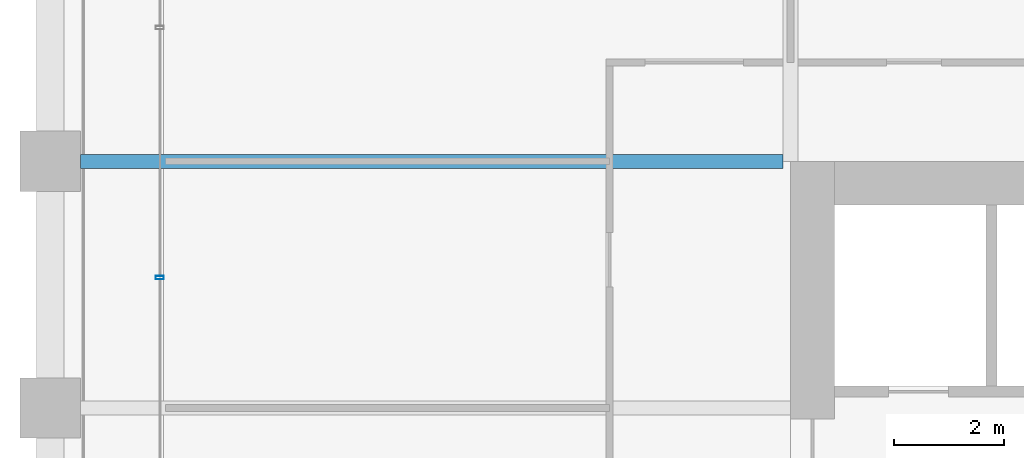
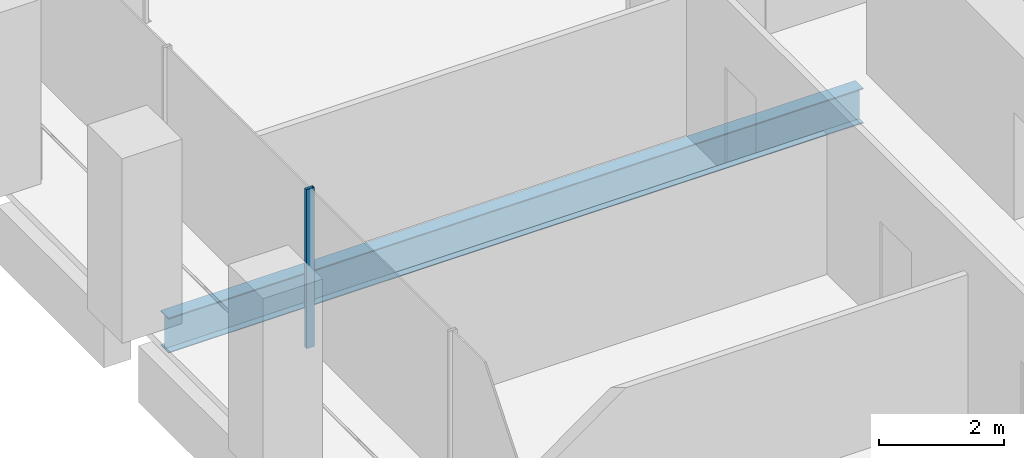
# One storey, part 14 of 56: 1 beam, 1 member, 1 element without a shape of its own.
"""IFC4 building model written with IfcOpenShell, lengths in metres."""

from ifc_helpers import new_model, si_unit, direction, frame, origin, origin_2d, place, context, subcontext, project, spatial, hollow_rectangle, i_section, extrude, material, material_profile, profile_set, type_object, element, aggregate, save


model = new_model("IFC4")

# Units and contexts
model_context = context("Model", 3, precision=1e-05, world=origin(), true_north=direction((0.0, 1.0)))
body_context = subcontext(model_context, "Body", "Model", "MODEL_VIEW")
ifc_project = project(units=[si_unit("LENGTHUNIT", "METRE"), si_unit("AREAUNIT", "SQUARE_METRE"), si_unit("VOLUMEUNIT", "CUBIC_METRE"), si_unit("PLANEANGLEUNIT", "RADIAN"), si_unit("MASSUNIT", "GRAM", prefix="KILO")], contexts=[model_context])

# Site, building, storey
site_placement = place(None, origin())
site = spatial("IfcSite", under=ifc_project, at=site_placement, CompositionType="ELEMENT")
building_placement = place(site_placement, origin())
building = spatial("IfcBuilding", under=site, at=building_placement, Name="Altepetl Exchange Towers", CompositionType="ELEMENT")
storey_placement = place(building_placement, frame((0.0, 0.0, 69.0)))
storey = spatial("IfcBuildingStorey", under=building, at=storey_placement, Name="L16", CompositionType="ELEMENT", Elevation=69.0)

# Beam
ifc_material_1 = material(Name="Steel S355", Category="steel")
ifc_material_profile_1 = material_profile(ifc_material_1, i_section(OverallWidth=0.25390625, OverallDepth=0.68408203125, WebThickness=0.012451171875, FlangeThickness=0.018798828125, at=origin_2d()), Name="W27X94")
ifc_profile_set_1 = profile_set([ifc_material_profile_1], Name="Steel S355")
beam_type = type_object("IfcBeamType", Name="Floor beam W27X94", PredefinedType="BEAM", material=ifc_profile_set_1)
beam_placement = place(storey_placement, frame((27.550048828125, 58.5, -0.491943359375), z_axis=(1.0, 0.0, 0.0), x_axis=(0.0, 1.0, 0.0)))
element("IfcBeam", 1, at=beam_placement, inside=storey, type_object=beam_type, Name="bm:A:L16:021", PredefinedType="BEAM", context=body_context, shape_type="SweptSolid", body=[
    extrude(i_section(OverallWidth=0.25390625, OverallDepth=0.68408203125, WebThickness=0.012451171875, FlangeThickness=0.018798828125, at=origin_2d()), origin(), (0.0, 0.0, 1.0), 12.81591796875),
])

# Curtain wall, member
ifc_material_2 = material(Name="Aluminium 6063-T6 glazing", Category="aluminium")
curtain_wall_type = type_object("IfcCurtainWallType", Name="Loggia glazing system", PredefinedType="NOTDEFINED", material=ifc_material_2)
curtain_wall_placement = place(storey_placement, origin())
curtain_wall = element("IfcCurtainWall", 2, at=curtain_wall_placement, inside=storey, type_object=curtain_wall_type, Name="CW1 run", PredefinedType="NOTDEFINED")
ifc_material_3 = material(Name="Aluminium 6063-T6", Category="aluminium")
ifc_material_profile_2 = material_profile(ifc_material_3, hollow_rectangle(XDim=0.06005859375, YDim=0.14990234375, WallThickness=0.0029296875, at=origin_2d()), Name="Mullion 60x150 aluminium")
ifc_profile_set_2 = profile_set([ifc_material_profile_2], Name="Aluminium 6063-T6")
member_type = type_object("IfcMemberType", Name="Mullion 60x150 aluminium", PredefinedType="MULLION", material=ifc_profile_set_2)
member_placement = place(storey_placement, frame((29.0, 56.378662109375, 0.0), z_axis=(0.0, 0.0, 1.0), x_axis=(0.0, -1.0, 0.0)))
member = element("IfcMember", 3, at=member_placement, type_object=member_type, Name="MU1 mullion", PredefinedType="MULLION", context=body_context, shape_type="SweptSolid", body=[
    extrude(hollow_rectangle(XDim=0.06005859375, YDim=0.14990234375, WallThickness=0.0029296875, at=origin_2d()), origin(), (0.0, 0.0, 1.0), 3.10009765625),
])
aggregate(curtain_wall, [member])

save(model, "model.ifc")
